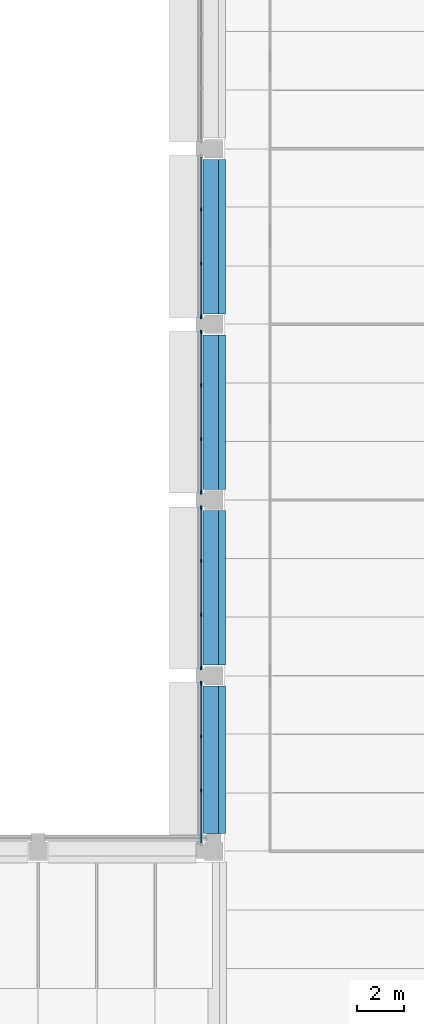
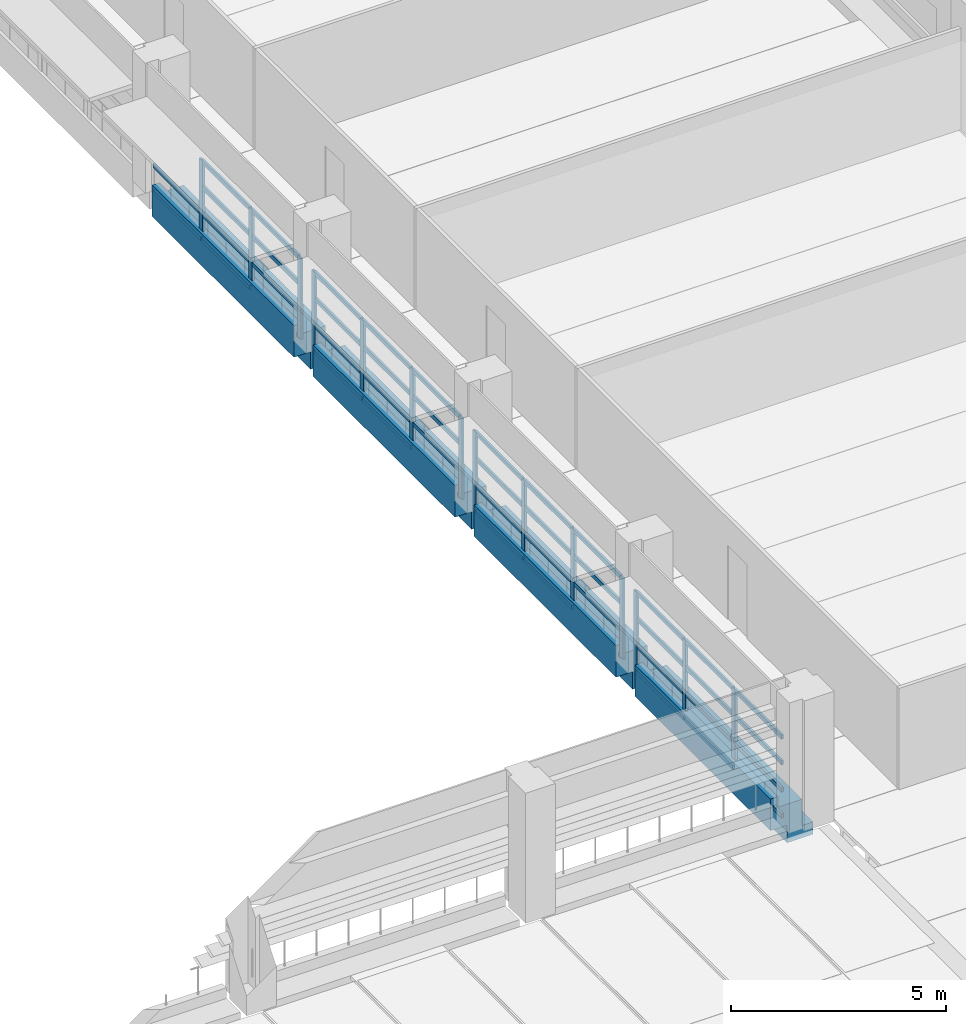
# One storey, part 21 of 61: 60 members, 4 beams, 4 elements without a shape of their own.
"""IFC4 building model written with IfcOpenShell, lengths in metres."""

from ifc_helpers import new_model, si_unit, direction, frame, origin, origin_2d, place, context, subcontext, project, spatial, polyline, rectangle, outline, extrude, material, layer, layer_set, material_profile, profile_set, type_object, element, aggregate, save


model = new_model("IFC4")

# Units and contexts
model_context = context("Model", 3, precision=1e-05, world=origin(), true_north=direction((0.0, 1.0)))
body_context = subcontext(model_context, "Body", "Model", "MODEL_VIEW")
ifc_project = project(units=[si_unit("LENGTHUNIT", "METRE"), si_unit("AREAUNIT", "SQUARE_METRE"), si_unit("VOLUMEUNIT", "CUBIC_METRE"), si_unit("PLANEANGLEUNIT", "RADIAN"), si_unit("MASSUNIT", "GRAM", prefix="KILO")], contexts=[model_context])

# Site, building, storey
site_placement = place(None, origin())
site = spatial("IfcSite", under=ifc_project, at=site_placement, CompositionType="ELEMENT")
building_placement = place(site_placement, origin())
building = spatial("IfcBuilding", under=site, at=building_placement, Name="Cour d'Honneur Mobility Palace", CompositionType="ELEMENT")
storey_placement = place(building_placement, frame((0.0, 0.0, 11.89990234375)))
storey = spatial("IfcBuildingStorey", under=building, at=storey_placement, Name="L03", CompositionType="ELEMENT", Elevation=11.89990234375)

# Curtain wall, members
ifc_material_1 = material(Name="Aluminium and glass", Category="aluminium")
ifc_layer = layer(ifc_material_1, 0.10009765625)
ifc_layer_set = layer_set([ifc_layer], Name="Aluminium and glass")
curtain_wall_type = type_object("IfcCurtainWallType", Name="Curtain wall run", PredefinedType="NOTDEFINED", material=ifc_layer_set)
curtain_wall_1_placement = place(storey_placement, origin())
curtain_wall_1 = element("IfcCurtainWall", 1, at=curtain_wall_1_placement, inside=storey, type_object=curtain_wall_type, Name="Curtain wall CW-61", PredefinedType="NOTDEFINED")
ifc_material_2 = material(Name="Aluminium", Category="aluminium")
ifc_material_profile_1 = material_profile(ifc_material_2, rectangle(XDim=0.06005859375, YDim=0.159912109375, at=origin_2d()), Name="Curtain wall mullion")
ifc_profile_set_1 = profile_set([ifc_material_profile_1], Name="Aluminium")
member_type_1 = type_object("IfcMemberType", Name="Curtain wall mullion", PredefinedType="MULLION", material=ifc_profile_set_1)
member_1_placement = place(storey_placement, frame((144.35009765625, 89.800048828125, 0.0), z_axis=(0.0, 0.0, 1.0), x_axis=(1.0, 0.0, 0.0)))
member_1 = element("IfcMember", 2, at=member_1_placement, type_object=member_type_1, Name="CW-61 mullion 2", PredefinedType="MULLION", context=body_context, shape_type="SweptSolid", body=[
    extrude(rectangle(XDim=0.06005859375, YDim=0.159912109375, at=origin_2d()), origin(), (0.0, 0.0, 1.0), 2.300048828125),
])
member_2_placement = place(storey_placement, frame((144.35009765625, 87.5, 0.0), z_axis=(0.0, 0.0, 1.0), x_axis=(1.0, 0.0, 0.0)))
member_2 = element("IfcMember", 3, at=member_2_placement, type_object=member_type_1, Name="CW-61 mullion 3", PredefinedType="MULLION", context=body_context, shape_type="SweptSolid", body=[
    extrude(rectangle(XDim=0.06005859375, YDim=0.159912109375, at=origin_2d()), origin(), (0.0, 0.0, 1.0), 2.300048828125),
])
member_3_placement = place(storey_placement, frame((144.35009765625, 85.22998046875, 0.0), z_axis=(0.0, 0.0, 1.0), x_axis=(1.0, 0.0, 0.0)))
member_3 = element("IfcMember", 4, at=member_3_placement, type_object=member_type_1, Name="CW-61 mullion 4", PredefinedType="MULLION", context=body_context, shape_type="SweptSolid", body=[
    extrude(rectangle(XDim=0.06005859375, YDim=0.159912109375, at=origin_2d()), origin(), (0.0, 0.0, 1.0), 2.300048828125),
])

curtain_wall_2_placement = place(storey_placement, origin())
curtain_wall_2 = element("IfcCurtainWall", 5, at=curtain_wall_2_placement, inside=storey, type_object=curtain_wall_type, Name="Curtain wall CW-62", PredefinedType="NOTDEFINED")
member_4_placement = place(storey_placement, frame((144.35009765625, 84.570068359375, 0.0), z_axis=(0.0, 0.0, 1.0), x_axis=(1.0, 0.0, 0.0)))
member_4 = element("IfcMember", 6, at=member_4_placement, type_object=member_type_1, Name="CW-62 mullion 1", PredefinedType="MULLION", context=body_context, shape_type="SweptSolid", body=[
    extrude(rectangle(XDim=0.06005859375, YDim=0.159912109375, at=origin_2d()), origin(), (0.0, 0.0, 1.0), 2.300048828125),
])
member_5_placement = place(storey_placement, frame((144.35009765625, 82.300048828125, 0.0), z_axis=(0.0, 0.0, 1.0), x_axis=(1.0, 0.0, 0.0)))
member_5 = element("IfcMember", 7, at=member_5_placement, type_object=member_type_1, Name="CW-62 mullion 2", PredefinedType="MULLION", context=body_context, shape_type="SweptSolid", body=[
    extrude(rectangle(XDim=0.06005859375, YDim=0.159912109375, at=origin_2d()), origin(), (0.0, 0.0, 1.0), 2.300048828125),
])
member_6_placement = place(storey_placement, frame((144.35009765625, 80.0, 0.0), z_axis=(0.0, 0.0, 1.0), x_axis=(1.0, 0.0, 0.0)))
member_6 = element("IfcMember", 8, at=member_6_placement, type_object=member_type_1, Name="CW-62 mullion 3", PredefinedType="MULLION", context=body_context, shape_type="SweptSolid", body=[
    extrude(rectangle(XDim=0.06005859375, YDim=0.159912109375, at=origin_2d()), origin(), (0.0, 0.0, 1.0), 2.300048828125),
])
member_7_placement = place(storey_placement, frame((144.35009765625, 77.72998046875, 0.0), z_axis=(0.0, 0.0, 1.0), x_axis=(1.0, 0.0, 0.0)))
member_7 = element("IfcMember", 9, at=member_7_placement, type_object=member_type_1, Name="CW-62 mullion 4", PredefinedType="MULLION", context=body_context, shape_type="SweptSolid", body=[
    extrude(rectangle(XDim=0.06005859375, YDim=0.159912109375, at=origin_2d()), origin(), (0.0, 0.0, 1.0), 2.300048828125),
])

curtain_wall_3_placement = place(storey_placement, origin())
curtain_wall_3 = element("IfcCurtainWall", 10, at=curtain_wall_3_placement, inside=storey, type_object=curtain_wall_type, Name="Curtain wall CW-63", PredefinedType="NOTDEFINED")
member_8_placement = place(storey_placement, frame((144.35009765625, 77.070068359375, 0.0), z_axis=(0.0, 0.0, 1.0), x_axis=(1.0, 0.0, 0.0)))
member_8 = element("IfcMember", 11, at=member_8_placement, type_object=member_type_1, Name="CW-63 mullion 1", PredefinedType="MULLION", context=body_context, shape_type="SweptSolid", body=[
    extrude(rectangle(XDim=0.06005859375, YDim=0.159912109375, at=origin_2d()), origin(), (0.0, 0.0, 1.0), 2.300048828125),
])
member_9_placement = place(storey_placement, frame((144.35009765625, 74.800048828125, 0.0), z_axis=(0.0, 0.0, 1.0), x_axis=(1.0, 0.0, 0.0)))
member_9 = element("IfcMember", 12, at=member_9_placement, type_object=member_type_1, Name="CW-63 mullion 2", PredefinedType="MULLION", context=body_context, shape_type="SweptSolid", body=[
    extrude(rectangle(XDim=0.06005859375, YDim=0.159912109375, at=origin_2d()), origin(), (0.0, 0.0, 1.0), 2.300048828125),
])
member_10_placement = place(storey_placement, frame((144.35009765625, 72.5, 0.0), z_axis=(0.0, 0.0, 1.0), x_axis=(1.0, 0.0, 0.0)))
member_10 = element("IfcMember", 13, at=member_10_placement, type_object=member_type_1, Name="CW-63 mullion 3", PredefinedType="MULLION", context=body_context, shape_type="SweptSolid", body=[
    extrude(rectangle(XDim=0.06005859375, YDim=0.159912109375, at=origin_2d()), origin(), (0.0, 0.0, 1.0), 2.300048828125),
])
member_11_placement = place(storey_placement, frame((144.35009765625, 70.22998046875, 0.0), z_axis=(0.0, 0.0, 1.0), x_axis=(1.0, 0.0, 0.0)))
member_11 = element("IfcMember", 14, at=member_11_placement, type_object=member_type_1, Name="CW-63 mullion 4", PredefinedType="MULLION", context=body_context, shape_type="SweptSolid", body=[
    extrude(rectangle(XDim=0.06005859375, YDim=0.159912109375, at=origin_2d()), origin(), (0.0, 0.0, 1.0), 2.300048828125),
])

curtain_wall_4_placement = place(storey_placement, origin())
curtain_wall_4 = element("IfcCurtainWall", 15, at=curtain_wall_4_placement, inside=storey, type_object=curtain_wall_type, Name="Curtain wall CW-64", PredefinedType="NOTDEFINED")
member_12_placement = place(storey_placement, frame((144.35009765625, 69.570068359375, 0.0), z_axis=(0.0, 0.0, 1.0), x_axis=(1.0, 0.0, 0.0)))
member_12 = element("IfcMember", 16, at=member_12_placement, type_object=member_type_1, Name="CW-64 mullion 1", PredefinedType="MULLION", context=body_context, shape_type="SweptSolid", body=[
    extrude(rectangle(XDim=0.06005859375, YDim=0.159912109375, at=origin_2d()), origin(), (0.0, 0.0, 1.0), 2.300048828125),
])
member_13_placement = place(storey_placement, frame((144.35009765625, 67.300048828125, 0.0), z_axis=(0.0, 0.0, 1.0), x_axis=(1.0, 0.0, 0.0)))
member_13 = element("IfcMember", 17, at=member_13_placement, type_object=member_type_1, Name="CW-64 mullion 2", PredefinedType="MULLION", context=body_context, shape_type="SweptSolid", body=[
    extrude(rectangle(XDim=0.06005859375, YDim=0.159912109375, at=origin_2d()), origin(), (0.0, 0.0, 1.0), 2.300048828125),
])
member_14_placement = place(storey_placement, frame((144.35009765625, 65.0, 0.0), z_axis=(0.0, 0.0, 1.0), x_axis=(1.0, 0.0, 0.0)))
member_14 = element("IfcMember", 18, at=member_14_placement, type_object=member_type_1, Name="CW-64 mullion 3", PredefinedType="MULLION", context=body_context, shape_type="SweptSolid", body=[
    extrude(rectangle(XDim=0.06005859375, YDim=0.159912109375, at=origin_2d()), origin(), (0.0, 0.0, 1.0), 2.300048828125),
])

# Member
ifc_material_3 = material(Name="Aluminium", Category="aluminium")
ifc_material_profile_2 = material_profile(ifc_material_3, rectangle(XDim=0.06005859375, YDim=0.1201171875, at=origin_2d()), Name="Curtain wall transom")
ifc_profile_set_2 = profile_set([ifc_material_profile_2], Name="Aluminium")
member_type_2 = type_object("IfcMemberType", Name="Curtain wall transom", PredefinedType="USERDEFINED", material=ifc_profile_set_2)
member_15_placement = place(storey_placement, frame((144.35009765625, 92.0400390625, 0.030029296875), z_axis=(0.0, -1.0, 0.0), x_axis=(1.0, 0.0, 0.0)))
member_15 = element("IfcMember", 19, at=member_15_placement, type_object=member_type_2, Name="CW-61 transom 1.1", ObjectType="TRANSOM", PredefinedType="USERDEFINED", context=body_context, shape_type="SweptSolid", body=[
    extrude(rectangle(XDim=0.06005859375, YDim=0.1201171875, at=origin_2d()), origin(), (0.0, 0.0, 1.0), 2.2099609375),
])

member_16_placement = place(storey_placement, frame((144.35009765625, 92.0400390625, 0.766845703125), z_axis=(0.0, -1.0, 0.0), x_axis=(1.0, 0.0, 0.0)))
member_16 = element("IfcMember", 20, at=member_16_placement, type_object=member_type_2, Name="CW-61 transom 1.2", ObjectType="TRANSOM", PredefinedType="USERDEFINED", context=body_context, shape_type="SweptSolid", body=[
    extrude(rectangle(XDim=0.06005859375, YDim=0.1201171875, at=origin_2d()), origin(), (0.0, 0.0, 1.0), 2.2099609375),
])

member_17_placement = place(storey_placement, frame((144.35009765625, 89.77001953125, 0.030029296875), z_axis=(0.0, -1.0, 0.0), x_axis=(1.0, 0.0, 0.0)))
member_17 = element("IfcMember", 21, at=member_17_placement, type_object=member_type_2, Name="CW-61 transom 2.1", ObjectType="TRANSOM", PredefinedType="USERDEFINED", context=body_context, shape_type="SweptSolid", body=[
    extrude(rectangle(XDim=0.06005859375, YDim=0.1201171875, at=origin_2d()), origin(), (0.0, 0.0, 1.0), 2.239990234375),
])

member_18_placement = place(storey_placement, frame((144.35009765625, 89.77001953125, 0.766845703125), z_axis=(0.0, -1.0, 0.0), x_axis=(1.0, 0.0, 0.0)))
member_18 = element("IfcMember", 22, at=member_18_placement, type_object=member_type_2, Name="CW-61 transom 2.2", ObjectType="TRANSOM", PredefinedType="USERDEFINED", context=body_context, shape_type="SweptSolid", body=[
    extrude(rectangle(XDim=0.06005859375, YDim=0.1201171875, at=origin_2d()), origin(), (0.0, 0.0, 1.0), 2.239990234375),
])

member_19_placement = place(storey_placement, frame((144.35009765625, 89.77001953125, 1.533447265625), z_axis=(0.0, -1.0, 0.0), x_axis=(1.0, 0.0, 0.0)))
member_19 = element("IfcMember", 23, at=member_19_placement, type_object=member_type_2, Name="CW-61 transom 2.3", ObjectType="TRANSOM", PredefinedType="USERDEFINED", context=body_context, shape_type="SweptSolid", body=[
    extrude(rectangle(XDim=0.06005859375, YDim=0.1201171875, at=origin_2d()), origin(), (0.0, 0.0, 1.0), 2.239990234375),
])

member_20_placement = place(storey_placement, frame((144.35009765625, 89.77001953125, 2.27001953125), z_axis=(0.0, -1.0, 0.0), x_axis=(1.0, 0.0, 0.0)))
member_20 = element("IfcMember", 24, at=member_20_placement, type_object=member_type_2, Name="CW-61 transom 2.4", ObjectType="TRANSOM", PredefinedType="USERDEFINED", context=body_context, shape_type="SweptSolid", body=[
    extrude(rectangle(XDim=0.06005859375, YDim=0.1201171875, at=origin_2d()), origin(), (0.0, 0.0, 1.0), 2.239990234375),
])

member_21_placement = place(storey_placement, frame((144.35009765625, 87.469970703125, 0.030029296875), z_axis=(0.0, -1.0, 0.0), x_axis=(1.0, 0.0, 0.0)))
member_21 = element("IfcMember", 25, at=member_21_placement, type_object=member_type_2, Name="CW-61 transom 3.1", ObjectType="TRANSOM", PredefinedType="USERDEFINED", context=body_context, shape_type="SweptSolid", body=[
    extrude(rectangle(XDim=0.06005859375, YDim=0.1201171875, at=origin_2d()), origin(), (0.0, 0.0, 1.0), 2.2099609375),
])

member_22_placement = place(storey_placement, frame((144.35009765625, 87.469970703125, 0.766845703125), z_axis=(0.0, -1.0, 0.0), x_axis=(1.0, 0.0, 0.0)))
member_22 = element("IfcMember", 26, at=member_22_placement, type_object=member_type_2, Name="CW-61 transom 3.2", ObjectType="TRANSOM", PredefinedType="USERDEFINED", context=body_context, shape_type="SweptSolid", body=[
    extrude(rectangle(XDim=0.06005859375, YDim=0.1201171875, at=origin_2d()), origin(), (0.0, 0.0, 1.0), 2.2099609375),
])

member_23_placement = place(storey_placement, frame((144.35009765625, 87.469970703125, 1.533447265625), z_axis=(0.0, -1.0, 0.0), x_axis=(1.0, 0.0, 0.0)))
member_23 = element("IfcMember", 27, at=member_23_placement, type_object=member_type_2, Name="CW-61 transom 3.3", ObjectType="TRANSOM", PredefinedType="USERDEFINED", context=body_context, shape_type="SweptSolid", body=[
    extrude(rectangle(XDim=0.06005859375, YDim=0.1201171875, at=origin_2d()), origin(), (0.0, 0.0, 1.0), 2.2099609375),
])

member_24_placement = place(storey_placement, frame((144.35009765625, 87.469970703125, 2.27001953125), z_axis=(0.0, -1.0, 0.0), x_axis=(1.0, 0.0, 0.0)))
member_24 = element("IfcMember", 28, at=member_24_placement, type_object=member_type_2, Name="CW-61 transom 3.4", ObjectType="TRANSOM", PredefinedType="USERDEFINED", context=body_context, shape_type="SweptSolid", body=[
    extrude(rectangle(XDim=0.06005859375, YDim=0.1201171875, at=origin_2d()), origin(), (0.0, 0.0, 1.0), 2.2099609375),
])

aggregate(curtain_wall_1, [member_1, member_2, member_3, member_15, member_16, member_17, member_18, member_19, member_20, member_21, member_22, member_23, member_24])

member_25_placement = place(storey_placement, frame((144.35009765625, 84.5400390625, 0.030029296875), z_axis=(0.0, -1.0, 0.0), x_axis=(1.0, 0.0, 0.0)))
member_25 = element("IfcMember", 29, at=member_25_placement, type_object=member_type_2, Name="CW-62 transom 1.1", ObjectType="TRANSOM", PredefinedType="USERDEFINED", context=body_context, shape_type="SweptSolid", body=[
    extrude(rectangle(XDim=0.06005859375, YDim=0.1201171875, at=origin_2d()), origin(), (0.0, 0.0, 1.0), 2.2099609375),
])

member_26_placement = place(storey_placement, frame((144.35009765625, 84.5400390625, 0.766845703125), z_axis=(0.0, -1.0, 0.0), x_axis=(1.0, 0.0, 0.0)))
member_26 = element("IfcMember", 30, at=member_26_placement, type_object=member_type_2, Name="CW-62 transom 1.2", ObjectType="TRANSOM", PredefinedType="USERDEFINED", context=body_context, shape_type="SweptSolid", body=[
    extrude(rectangle(XDim=0.06005859375, YDim=0.1201171875, at=origin_2d()), origin(), (0.0, 0.0, 1.0), 2.2099609375),
])

member_27_placement = place(storey_placement, frame((144.35009765625, 84.5400390625, 1.533447265625), z_axis=(0.0, -1.0, 0.0), x_axis=(1.0, 0.0, 0.0)))
member_27 = element("IfcMember", 31, at=member_27_placement, type_object=member_type_2, Name="CW-62 transom 1.3", ObjectType="TRANSOM", PredefinedType="USERDEFINED", context=body_context, shape_type="SweptSolid", body=[
    extrude(rectangle(XDim=0.06005859375, YDim=0.1201171875, at=origin_2d()), origin(), (0.0, 0.0, 1.0), 2.2099609375),
])

member_28_placement = place(storey_placement, frame((144.35009765625, 84.5400390625, 2.27001953125), z_axis=(0.0, -1.0, 0.0), x_axis=(1.0, 0.0, 0.0)))
member_28 = element("IfcMember", 32, at=member_28_placement, type_object=member_type_2, Name="CW-62 transom 1.4", ObjectType="TRANSOM", PredefinedType="USERDEFINED", context=body_context, shape_type="SweptSolid", body=[
    extrude(rectangle(XDim=0.06005859375, YDim=0.1201171875, at=origin_2d()), origin(), (0.0, 0.0, 1.0), 2.2099609375),
])

member_29_placement = place(storey_placement, frame((144.35009765625, 82.27001953125, 0.030029296875), z_axis=(0.0, -1.0, 0.0), x_axis=(1.0, 0.0, 0.0)))
member_29 = element("IfcMember", 33, at=member_29_placement, type_object=member_type_2, Name="CW-62 transom 2.1", ObjectType="TRANSOM", PredefinedType="USERDEFINED", context=body_context, shape_type="SweptSolid", body=[
    extrude(rectangle(XDim=0.06005859375, YDim=0.1201171875, at=origin_2d()), origin(), (0.0, 0.0, 1.0), 2.239990234375),
])

member_30_placement = place(storey_placement, frame((144.35009765625, 82.27001953125, 0.766845703125), z_axis=(0.0, -1.0, 0.0), x_axis=(1.0, 0.0, 0.0)))
member_30 = element("IfcMember", 34, at=member_30_placement, type_object=member_type_2, Name="CW-62 transom 2.2", ObjectType="TRANSOM", PredefinedType="USERDEFINED", context=body_context, shape_type="SweptSolid", body=[
    extrude(rectangle(XDim=0.06005859375, YDim=0.1201171875, at=origin_2d()), origin(), (0.0, 0.0, 1.0), 2.239990234375),
])

member_31_placement = place(storey_placement, frame((144.35009765625, 82.27001953125, 1.533447265625), z_axis=(0.0, -1.0, 0.0), x_axis=(1.0, 0.0, 0.0)))
member_31 = element("IfcMember", 35, at=member_31_placement, type_object=member_type_2, Name="CW-62 transom 2.3", ObjectType="TRANSOM", PredefinedType="USERDEFINED", context=body_context, shape_type="SweptSolid", body=[
    extrude(rectangle(XDim=0.06005859375, YDim=0.1201171875, at=origin_2d()), origin(), (0.0, 0.0, 1.0), 2.239990234375),
])

member_32_placement = place(storey_placement, frame((144.35009765625, 82.27001953125, 2.27001953125), z_axis=(0.0, -1.0, 0.0), x_axis=(1.0, 0.0, 0.0)))
member_32 = element("IfcMember", 36, at=member_32_placement, type_object=member_type_2, Name="CW-62 transom 2.4", ObjectType="TRANSOM", PredefinedType="USERDEFINED", context=body_context, shape_type="SweptSolid", body=[
    extrude(rectangle(XDim=0.06005859375, YDim=0.1201171875, at=origin_2d()), origin(), (0.0, 0.0, 1.0), 2.239990234375),
])

member_33_placement = place(storey_placement, frame((144.35009765625, 79.969970703125, 0.030029296875), z_axis=(0.0, -1.0, 0.0), x_axis=(1.0, 0.0, 0.0)))
member_33 = element("IfcMember", 37, at=member_33_placement, type_object=member_type_2, Name="CW-62 transom 3.1", ObjectType="TRANSOM", PredefinedType="USERDEFINED", context=body_context, shape_type="SweptSolid", body=[
    extrude(rectangle(XDim=0.06005859375, YDim=0.1201171875, at=origin_2d()), origin(), (0.0, 0.0, 1.0), 2.2099609375),
])

member_34_placement = place(storey_placement, frame((144.35009765625, 79.969970703125, 0.766845703125), z_axis=(0.0, -1.0, 0.0), x_axis=(1.0, 0.0, 0.0)))
member_34 = element("IfcMember", 38, at=member_34_placement, type_object=member_type_2, Name="CW-62 transom 3.2", ObjectType="TRANSOM", PredefinedType="USERDEFINED", context=body_context, shape_type="SweptSolid", body=[
    extrude(rectangle(XDim=0.06005859375, YDim=0.1201171875, at=origin_2d()), origin(), (0.0, 0.0, 1.0), 2.2099609375),
])

member_35_placement = place(storey_placement, frame((144.35009765625, 79.969970703125, 1.533447265625), z_axis=(0.0, -1.0, 0.0), x_axis=(1.0, 0.0, 0.0)))
member_35 = element("IfcMember", 39, at=member_35_placement, type_object=member_type_2, Name="CW-62 transom 3.3", ObjectType="TRANSOM", PredefinedType="USERDEFINED", context=body_context, shape_type="SweptSolid", body=[
    extrude(rectangle(XDim=0.06005859375, YDim=0.1201171875, at=origin_2d()), origin(), (0.0, 0.0, 1.0), 2.2099609375),
])

member_36_placement = place(storey_placement, frame((144.35009765625, 79.969970703125, 2.27001953125), z_axis=(0.0, -1.0, 0.0), x_axis=(1.0, 0.0, 0.0)))
member_36 = element("IfcMember", 40, at=member_36_placement, type_object=member_type_2, Name="CW-62 transom 3.4", ObjectType="TRANSOM", PredefinedType="USERDEFINED", context=body_context, shape_type="SweptSolid", body=[
    extrude(rectangle(XDim=0.06005859375, YDim=0.1201171875, at=origin_2d()), origin(), (0.0, 0.0, 1.0), 2.2099609375),
])

aggregate(curtain_wall_2, [member_4, member_5, member_6, member_7, member_25, member_26, member_27, member_28, member_29, member_30, member_31, member_32, member_33, member_34, member_35, member_36])

member_37_placement = place(storey_placement, frame((144.35009765625, 77.0400390625, 0.030029296875), z_axis=(0.0, -1.0, 0.0), x_axis=(1.0, 0.0, 0.0)))
member_37 = element("IfcMember", 41, at=member_37_placement, type_object=member_type_2, Name="CW-63 transom 1.1", ObjectType="TRANSOM", PredefinedType="USERDEFINED", context=body_context, shape_type="SweptSolid", body=[
    extrude(rectangle(XDim=0.06005859375, YDim=0.1201171875, at=origin_2d()), origin(), (0.0, 0.0, 1.0), 2.2099609375),
])

member_38_placement = place(storey_placement, frame((144.35009765625, 77.0400390625, 0.766845703125), z_axis=(0.0, -1.0, 0.0), x_axis=(1.0, 0.0, 0.0)))
member_38 = element("IfcMember", 42, at=member_38_placement, type_object=member_type_2, Name="CW-63 transom 1.2", ObjectType="TRANSOM", PredefinedType="USERDEFINED", context=body_context, shape_type="SweptSolid", body=[
    extrude(rectangle(XDim=0.06005859375, YDim=0.1201171875, at=origin_2d()), origin(), (0.0, 0.0, 1.0), 2.2099609375),
])

member_39_placement = place(storey_placement, frame((144.35009765625, 77.0400390625, 1.533447265625), z_axis=(0.0, -1.0, 0.0), x_axis=(1.0, 0.0, 0.0)))
member_39 = element("IfcMember", 43, at=member_39_placement, type_object=member_type_2, Name="CW-63 transom 1.3", ObjectType="TRANSOM", PredefinedType="USERDEFINED", context=body_context, shape_type="SweptSolid", body=[
    extrude(rectangle(XDim=0.06005859375, YDim=0.1201171875, at=origin_2d()), origin(), (0.0, 0.0, 1.0), 2.2099609375),
])

member_40_placement = place(storey_placement, frame((144.35009765625, 77.0400390625, 2.27001953125), z_axis=(0.0, -1.0, 0.0), x_axis=(1.0, 0.0, 0.0)))
member_40 = element("IfcMember", 44, at=member_40_placement, type_object=member_type_2, Name="CW-63 transom 1.4", ObjectType="TRANSOM", PredefinedType="USERDEFINED", context=body_context, shape_type="SweptSolid", body=[
    extrude(rectangle(XDim=0.06005859375, YDim=0.1201171875, at=origin_2d()), origin(), (0.0, 0.0, 1.0), 2.2099609375),
])

member_41_placement = place(storey_placement, frame((144.35009765625, 74.77001953125, 0.030029296875), z_axis=(0.0, -1.0, 0.0), x_axis=(1.0, 0.0, 0.0)))
member_41 = element("IfcMember", 45, at=member_41_placement, type_object=member_type_2, Name="CW-63 transom 2.1", ObjectType="TRANSOM", PredefinedType="USERDEFINED", context=body_context, shape_type="SweptSolid", body=[
    extrude(rectangle(XDim=0.06005859375, YDim=0.1201171875, at=origin_2d()), origin(), (0.0, 0.0, 1.0), 2.239990234375),
])

member_42_placement = place(storey_placement, frame((144.35009765625, 74.77001953125, 0.766845703125), z_axis=(0.0, -1.0, 0.0), x_axis=(1.0, 0.0, 0.0)))
member_42 = element("IfcMember", 46, at=member_42_placement, type_object=member_type_2, Name="CW-63 transom 2.2", ObjectType="TRANSOM", PredefinedType="USERDEFINED", context=body_context, shape_type="SweptSolid", body=[
    extrude(rectangle(XDim=0.06005859375, YDim=0.1201171875, at=origin_2d()), origin(), (0.0, 0.0, 1.0), 2.239990234375),
])

member_43_placement = place(storey_placement, frame((144.35009765625, 74.77001953125, 1.533447265625), z_axis=(0.0, -1.0, 0.0), x_axis=(1.0, 0.0, 0.0)))
member_43 = element("IfcMember", 47, at=member_43_placement, type_object=member_type_2, Name="CW-63 transom 2.3", ObjectType="TRANSOM", PredefinedType="USERDEFINED", context=body_context, shape_type="SweptSolid", body=[
    extrude(rectangle(XDim=0.06005859375, YDim=0.1201171875, at=origin_2d()), origin(), (0.0, 0.0, 1.0), 2.239990234375),
])

member_44_placement = place(storey_placement, frame((144.35009765625, 74.77001953125, 2.27001953125), z_axis=(0.0, -1.0, 0.0), x_axis=(1.0, 0.0, 0.0)))
member_44 = element("IfcMember", 48, at=member_44_placement, type_object=member_type_2, Name="CW-63 transom 2.4", ObjectType="TRANSOM", PredefinedType="USERDEFINED", context=body_context, shape_type="SweptSolid", body=[
    extrude(rectangle(XDim=0.06005859375, YDim=0.1201171875, at=origin_2d()), origin(), (0.0, 0.0, 1.0), 2.239990234375),
])

member_45_placement = place(storey_placement, frame((144.35009765625, 72.469970703125, 0.030029296875), z_axis=(0.0, -1.0, 0.0), x_axis=(1.0, 0.0, 0.0)))
member_45 = element("IfcMember", 49, at=member_45_placement, type_object=member_type_2, Name="CW-63 transom 3.1", ObjectType="TRANSOM", PredefinedType="USERDEFINED", context=body_context, shape_type="SweptSolid", body=[
    extrude(rectangle(XDim=0.06005859375, YDim=0.1201171875, at=origin_2d()), origin(), (0.0, 0.0, 1.0), 2.2099609375),
])

member_46_placement = place(storey_placement, frame((144.35009765625, 72.469970703125, 0.766845703125), z_axis=(0.0, -1.0, 0.0), x_axis=(1.0, 0.0, 0.0)))
member_46 = element("IfcMember", 50, at=member_46_placement, type_object=member_type_2, Name="CW-63 transom 3.2", ObjectType="TRANSOM", PredefinedType="USERDEFINED", context=body_context, shape_type="SweptSolid", body=[
    extrude(rectangle(XDim=0.06005859375, YDim=0.1201171875, at=origin_2d()), origin(), (0.0, 0.0, 1.0), 2.2099609375),
])

member_47_placement = place(storey_placement, frame((144.35009765625, 72.469970703125, 1.533447265625), z_axis=(0.0, -1.0, 0.0), x_axis=(1.0, 0.0, 0.0)))
member_47 = element("IfcMember", 51, at=member_47_placement, type_object=member_type_2, Name="CW-63 transom 3.3", ObjectType="TRANSOM", PredefinedType="USERDEFINED", context=body_context, shape_type="SweptSolid", body=[
    extrude(rectangle(XDim=0.06005859375, YDim=0.1201171875, at=origin_2d()), origin(), (0.0, 0.0, 1.0), 2.2099609375),
])

member_48_placement = place(storey_placement, frame((144.35009765625, 72.469970703125, 2.27001953125), z_axis=(0.0, -1.0, 0.0), x_axis=(1.0, 0.0, 0.0)))
member_48 = element("IfcMember", 52, at=member_48_placement, type_object=member_type_2, Name="CW-63 transom 3.4", ObjectType="TRANSOM", PredefinedType="USERDEFINED", context=body_context, shape_type="SweptSolid", body=[
    extrude(rectangle(XDim=0.06005859375, YDim=0.1201171875, at=origin_2d()), origin(), (0.0, 0.0, 1.0), 2.2099609375),
])

aggregate(curtain_wall_3, [member_8, member_9, member_10, member_11, member_37, member_38, member_39, member_40, member_41, member_42, member_43, member_44, member_45, member_46, member_47, member_48])

member_49_placement = place(storey_placement, frame((144.35009765625, 69.5400390625, 0.030029296875), z_axis=(0.0, -1.0, 0.0), x_axis=(1.0, 0.0, 0.0)))
member_49 = element("IfcMember", 53, at=member_49_placement, type_object=member_type_2, Name="CW-64 transom 1.1", ObjectType="TRANSOM", PredefinedType="USERDEFINED", context=body_context, shape_type="SweptSolid", body=[
    extrude(rectangle(XDim=0.06005859375, YDim=0.1201171875, at=origin_2d()), origin(), (0.0, 0.0, 1.0), 2.2099609375),
])

member_50_placement = place(storey_placement, frame((144.35009765625, 69.5400390625, 0.766845703125), z_axis=(0.0, -1.0, 0.0), x_axis=(1.0, 0.0, 0.0)))
member_50 = element("IfcMember", 54, at=member_50_placement, type_object=member_type_2, Name="CW-64 transom 1.2", ObjectType="TRANSOM", PredefinedType="USERDEFINED", context=body_context, shape_type="SweptSolid", body=[
    extrude(rectangle(XDim=0.06005859375, YDim=0.1201171875, at=origin_2d()), origin(), (0.0, 0.0, 1.0), 2.2099609375),
])

member_51_placement = place(storey_placement, frame((144.35009765625, 69.5400390625, 1.533447265625), z_axis=(0.0, -1.0, 0.0), x_axis=(1.0, 0.0, 0.0)))
member_51 = element("IfcMember", 55, at=member_51_placement, type_object=member_type_2, Name="CW-64 transom 1.3", ObjectType="TRANSOM", PredefinedType="USERDEFINED", context=body_context, shape_type="SweptSolid", body=[
    extrude(rectangle(XDim=0.06005859375, YDim=0.1201171875, at=origin_2d()), origin(), (0.0, 0.0, 1.0), 2.2099609375),
])

member_52_placement = place(storey_placement, frame((144.35009765625, 69.5400390625, 2.27001953125), z_axis=(0.0, -1.0, 0.0), x_axis=(1.0, 0.0, 0.0)))
member_52 = element("IfcMember", 56, at=member_52_placement, type_object=member_type_2, Name="CW-64 transom 1.4", ObjectType="TRANSOM", PredefinedType="USERDEFINED", context=body_context, shape_type="SweptSolid", body=[
    extrude(rectangle(XDim=0.06005859375, YDim=0.1201171875, at=origin_2d()), origin(), (0.0, 0.0, 1.0), 2.2099609375),
])

member_53_placement = place(storey_placement, frame((144.35009765625, 67.27001953125, 0.030029296875), z_axis=(0.0, -1.0, 0.0), x_axis=(1.0, 0.0, 0.0)))
member_53 = element("IfcMember", 57, at=member_53_placement, type_object=member_type_2, Name="CW-64 transom 2.1", ObjectType="TRANSOM", PredefinedType="USERDEFINED", context=body_context, shape_type="SweptSolid", body=[
    extrude(rectangle(XDim=0.06005859375, YDim=0.1201171875, at=origin_2d()), origin(), (0.0, 0.0, 1.0), 2.239990234375),
])

member_54_placement = place(storey_placement, frame((144.35009765625, 67.27001953125, 0.766845703125), z_axis=(0.0, -1.0, 0.0), x_axis=(1.0, 0.0, 0.0)))
member_54 = element("IfcMember", 58, at=member_54_placement, type_object=member_type_2, Name="CW-64 transom 2.2", ObjectType="TRANSOM", PredefinedType="USERDEFINED", context=body_context, shape_type="SweptSolid", body=[
    extrude(rectangle(XDim=0.06005859375, YDim=0.1201171875, at=origin_2d()), origin(), (0.0, 0.0, 1.0), 2.239990234375),
])

member_55_placement = place(storey_placement, frame((144.35009765625, 67.27001953125, 1.533447265625), z_axis=(0.0, -1.0, 0.0), x_axis=(1.0, 0.0, 0.0)))
member_55 = element("IfcMember", 59, at=member_55_placement, type_object=member_type_2, Name="CW-64 transom 2.3", ObjectType="TRANSOM", PredefinedType="USERDEFINED", context=body_context, shape_type="SweptSolid", body=[
    extrude(rectangle(XDim=0.06005859375, YDim=0.1201171875, at=origin_2d()), origin(), (0.0, 0.0, 1.0), 2.239990234375),
])

member_56_placement = place(storey_placement, frame((144.35009765625, 67.27001953125, 2.27001953125), z_axis=(0.0, -1.0, 0.0), x_axis=(1.0, 0.0, 0.0)))
member_56 = element("IfcMember", 60, at=member_56_placement, type_object=member_type_2, Name="CW-64 transom 2.4", ObjectType="TRANSOM", PredefinedType="USERDEFINED", context=body_context, shape_type="SweptSolid", body=[
    extrude(rectangle(XDim=0.06005859375, YDim=0.1201171875, at=origin_2d()), origin(), (0.0, 0.0, 1.0), 2.239990234375),
])

member_57_placement = place(storey_placement, frame((144.35009765625, 64.969970703125, 0.030029296875), z_axis=(0.0, -1.0, 0.0), x_axis=(1.0, 0.0, 0.0)))
member_57 = element("IfcMember", 61, at=member_57_placement, type_object=member_type_2, Name="CW-64 transom 3.1", ObjectType="TRANSOM", PredefinedType="USERDEFINED", context=body_context, shape_type="SweptSolid", body=[
    extrude(rectangle(XDim=0.06005859375, YDim=0.1201171875, at=origin_2d()), origin(), (0.0, 0.0, 1.0), 2.2099609375),
])

member_58_placement = place(storey_placement, frame((144.35009765625, 64.969970703125, 0.766845703125), z_axis=(0.0, -1.0, 0.0), x_axis=(1.0, 0.0, 0.0)))
member_58 = element("IfcMember", 62, at=member_58_placement, type_object=member_type_2, Name="CW-64 transom 3.2", ObjectType="TRANSOM", PredefinedType="USERDEFINED", context=body_context, shape_type="SweptSolid", body=[
    extrude(rectangle(XDim=0.06005859375, YDim=0.1201171875, at=origin_2d()), origin(), (0.0, 0.0, 1.0), 2.2099609375),
])

member_59_placement = place(storey_placement, frame((144.35009765625, 64.969970703125, 1.533447265625), z_axis=(0.0, -1.0, 0.0), x_axis=(1.0, 0.0, 0.0)))
member_59 = element("IfcMember", 63, at=member_59_placement, type_object=member_type_2, Name="CW-64 transom 3.3", ObjectType="TRANSOM", PredefinedType="USERDEFINED", context=body_context, shape_type="SweptSolid", body=[
    extrude(rectangle(XDim=0.06005859375, YDim=0.1201171875, at=origin_2d()), origin(), (0.0, 0.0, 1.0), 2.2099609375),
])

member_60_placement = place(storey_placement, frame((144.35009765625, 64.969970703125, 2.27001953125), z_axis=(0.0, -1.0, 0.0), x_axis=(1.0, 0.0, 0.0)))
member_60 = element("IfcMember", 64, at=member_60_placement, type_object=member_type_2, Name="CW-64 transom 3.4", ObjectType="TRANSOM", PredefinedType="USERDEFINED", context=body_context, shape_type="SweptSolid", body=[
    extrude(rectangle(XDim=0.06005859375, YDim=0.1201171875, at=origin_2d()), origin(), (0.0, 0.0, 1.0), 2.2099609375),
])

aggregate(curtain_wall_4, [member_12, member_13, member_14, member_49, member_50, member_51, member_52, member_53, member_54, member_55, member_56, member_57, member_58, member_59, member_60])

# Beams
ifc_material_4 = material(Name="Concrete C45", Category="concrete")
ifc_material_profile_3 = material_profile(ifc_material_4, outline(polyline([(0.199951171875, -1.10009765625), (0.199951171875, -0.60009765625), (0.64990234375, -0.60009765625), (0.64990234375, 0.300048828125), (0.449951171875, 0.300048828125), (0.449951171875, 0.0), (0.199951171875, 0.0), (-0.199951171875, 0.0), (-0.199951171875, -0.75), (-0.5, -0.75), (-0.5, -1.10009765625), (0.199951171875, -1.10009765625)])), Name="Ledger Beam 400x1100 ledge right 350 facade left")
ifc_profile_set_3 = profile_set([ifc_material_profile_3], Name="Concrete C45")
beam_type = type_object("IfcBeamType", Name="Ledger Beam 400x1100 ledge right 350 facade left", PredefinedType="BEAM", material=ifc_profile_set_3)
beam_placement = place(storey_placement, frame((144.89990234375, 63.14990234375, 0.0), z_axis=(0.0, 1.0, 0.0), x_axis=(-1.0, 0.0, 0.0)))
element("IfcBeam", 65, at=beam_placement, inside=storey, type_object=beam_type, Name="Precast beam B4 H-J L03", PredefinedType="BEAM", context=body_context, shape_type="SweptSolid", body=[
    extrude(outline(polyline([(0.199951171875, -1.10009765625), (0.199951171875, -0.60009765625), (0.64990234375, -0.60009765625), (0.64990234375, 0.300048828125), (0.449951171875, 0.300048828125), (0.449951171875, 0.0), (0.199951171875, 0.0), (-0.199951171875, 0.0), (-0.199951171875, -0.75), (-0.5, -0.75), (-0.5, -1.10009765625), (0.199951171875, -1.10009765625)])), origin(), (0.0, 0.0, 1.0), 6.300048828125),
])
for number, where, z_axis, x_axis, name in (
    (66, (144.89990234375, 70.35009765625, 0.0), (0.0, 1.0, 0.0), (-1.0, 0.0, 0.0), "Precast beam B4 J-K L03"),
    (67, (144.89990234375, 77.85009765625, 0.0), (0.0, 1.0, 0.0), (-1.0, 0.0, 0.0), "Precast beam B4 K-L L03"),
    (68, (144.89990234375, 85.35009765625, 0.0), (0.0, 1.0, 0.0), (-1.0, 0.0, 0.0), "Precast beam B4 L-M L03"),
):
    element("IfcBeam", number, at=place(storey_placement, frame(where, z_axis=z_axis, x_axis=x_axis)), inside=storey, type_object=beam_type, Name=name, PredefinedType="BEAM", context=body_context, shape_type="SweptSolid", body=[
        extrude(outline(polyline([(0.199951171875, -1.10009765625), (0.199951171875, -0.60009765625), (0.64990234375, -0.60009765625), (0.64990234375, 0.300048828125), (0.449951171875, 0.300048828125), (0.449951171875, 0.0), (0.199951171875, 0.0), (-0.199951171875, 0.0), (-0.199951171875, -0.75), (-0.5, -0.75), (-0.5, -1.10009765625), (0.199951171875, -1.10009765625)])), origin(), (0.0, 0.0, 1.0), 6.599853515625),
    ])

save(model, "model.ifc")
